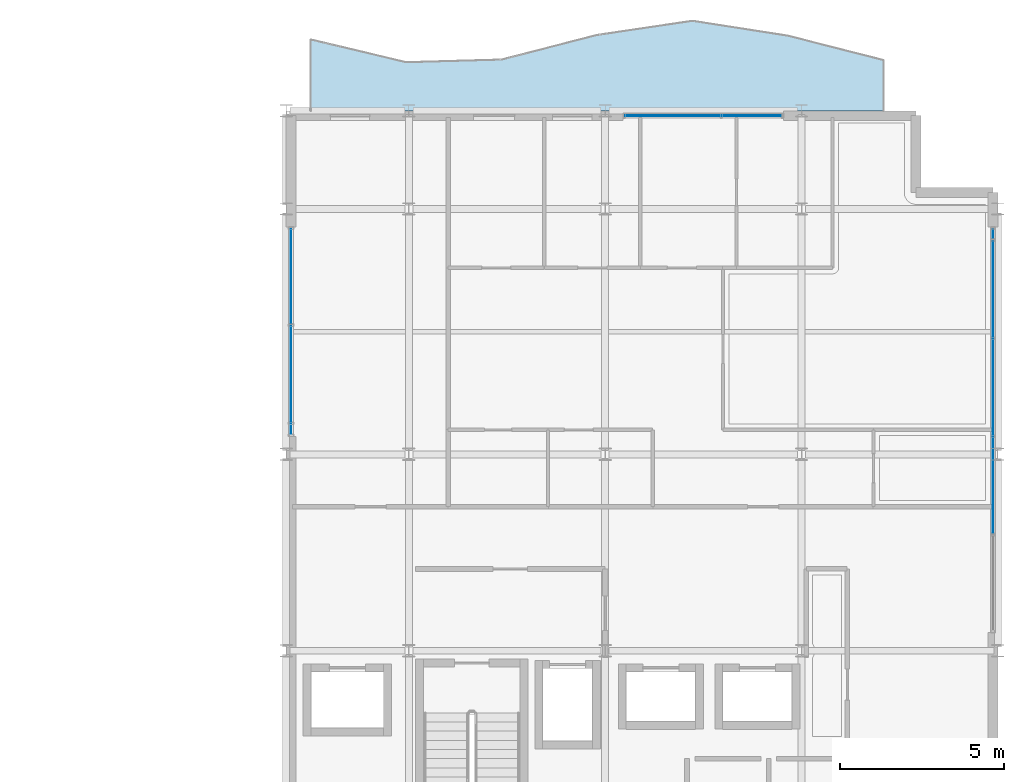
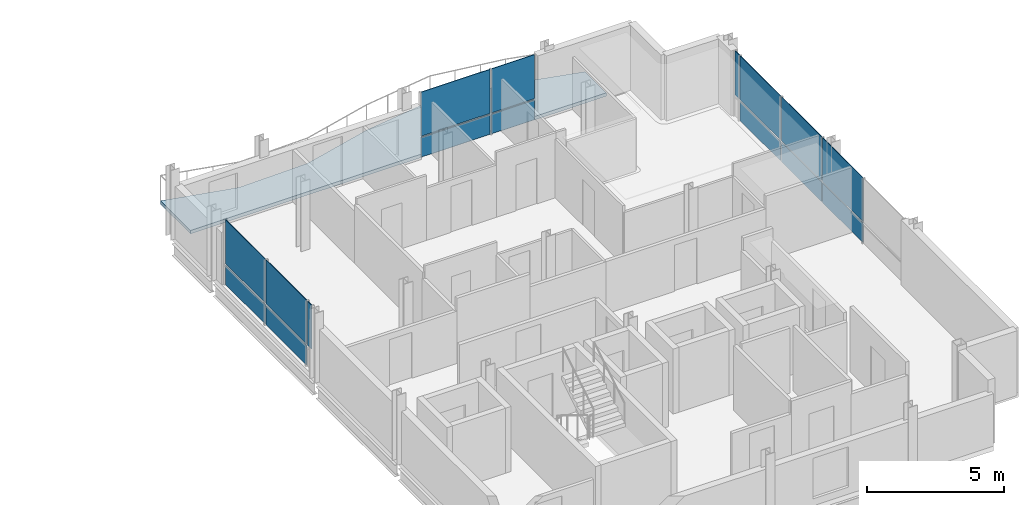
# One storey, part 20 of 29: 16 plates, 1 slab, 3 elements without a shape of their own.
"""IFC4 building model written with IfcOpenShell, lengths in metres."""

from ifc_helpers import new_model, si_unit, direction, frame, origin, origin_2d, place, context, subcontext, project, spatial, polyline, rectangle, outline, extrude, material, layer, layer_set, type_object, element, aggregate, save


model = new_model("IFC4")

# Units and contexts
model_context = context("Model", 3, precision=1e-05, world=origin(), true_north=direction((0.0, 1.0)))
body_context = subcontext(model_context, "Body", "Model", "MODEL_VIEW")
ifc_project = project(units=[si_unit("LENGTHUNIT", "METRE"), si_unit("AREAUNIT", "SQUARE_METRE"), si_unit("VOLUMEUNIT", "CUBIC_METRE"), si_unit("PLANEANGLEUNIT", "RADIAN"), si_unit("MASSUNIT", "GRAM", prefix="KILO")], contexts=[model_context])

# Site, building, storey
site_placement = place(None, origin())
site = spatial("IfcSite", under=ifc_project, at=site_placement, CompositionType="ELEMENT")
building_placement = place(site_placement, origin())
building = spatial("IfcBuilding", under=site, at=building_placement, Name="Brevholm Reach", CompositionType="ELEMENT")
storey_placement = place(building_placement, frame((0.0, 0.0, 208.0)))
storey = spatial("IfcBuildingStorey", under=building, at=storey_placement, Name="L63", CompositionType="ELEMENT", Elevation=208.0)

# Curtain wall, plates
ifc_material_1 = material(Name="Dark Anodised Aluminium 6063-T6 and Solar-Control Glass", Category="aluminium")
ifc_layer_1 = layer(ifc_material_1, 0.1650390625)
ifc_layer_set_1 = layer_set([ifc_layer_1], Name="Dark Anodised Aluminium 6063-T6 and Solar-Control Glass")
curtain_wall_type_1 = type_object("IfcCurtainWallType", Name="CW-04", PredefinedType="NOTDEFINED", material=ifc_layer_set_1)
curtain_wall_1_placement = place(storey_placement, origin())
curtain_wall_1 = element("IfcCurtainWall", 1, at=curtain_wall_1_placement, inside=storey, type_object=curtain_wall_type_1, Name="L63 Curtain Wall CW-04", PredefinedType="NOTDEFINED")
ifc_material_2 = material(Name="Dark Solar-Control Double-Glazed IGU Glass", Category="glass")
ifc_layer_2 = layer(ifc_material_2, 0.028076171875)
ifc_layer_set_2 = layer_set([ifc_layer_2], Name="Dark Solar-Control Double-Glazed IGU Glass")
plate_type = type_object("IfcPlateType", Name="CWP-GLZ-28", PredefinedType="CURTAIN_PANEL", material=ifc_layer_set_2)
plate_1_placement = place(storey_placement, frame((38.39990234375, 21.4326171875, 0.0), z_axis=(0.0, 0.0, 1.0), x_axis=(0.0, -1.0, 0.0)))
plate_1 = element("IfcPlate", 2, at=plate_1_placement, type_object=plate_type, Name="CP-01 Glazing Panel 1.1", PredefinedType="CURTAIN_PANEL", context=body_context, shape_type="SweptSolid", body=[
    extrude(rectangle(XDim=2.89501953125, YDim=0.028076171875, at=origin_2d()), origin(), (0.0, 0.0, 1.0), 0.864990234375),
])
plate_2_placement = place(storey_placement, frame((38.39990234375, 21.4326171875, 0.93505859375), z_axis=(0.0, 0.0, 1.0), x_axis=(0.0, -1.0, 0.0)))
plate_2 = element("IfcPlate", 3, at=plate_2_placement, type_object=plate_type, Name="CP-01 Glazing Panel 1.2", PredefinedType="CURTAIN_PANEL", context=body_context, shape_type="SweptSolid", body=[
    extrude(rectangle(XDim=2.89501953125, YDim=0.028076171875, at=origin_2d()), origin(), (0.0, 0.0, 1.0), 1.955078125),
])
plate_3_placement = place(storey_placement, frame((38.39990234375, 18.449951171875, 0.0), z_axis=(0.0, 0.0, 1.0), x_axis=(0.0, -1.0, 0.0)))
plate_3 = element("IfcPlate", 4, at=plate_3_placement, type_object=plate_type, Name="CP-01 Glazing Panel 2.1", PredefinedType="CURTAIN_PANEL", context=body_context, shape_type="SweptSolid", body=[
    extrude(rectangle(XDim=2.929931640625, YDim=0.028076171875, at=origin_2d()), origin(), (0.0, 0.0, 1.0), 0.864990234375),
])
plate_4_placement = place(storey_placement, frame((38.39990234375, 18.449951171875, 0.93505859375), z_axis=(0.0, 0.0, 1.0), x_axis=(0.0, -1.0, 0.0)))
plate_4 = element("IfcPlate", 5, at=plate_4_placement, type_object=plate_type, Name="CP-01 Glazing Panel 2.2", PredefinedType="CURTAIN_PANEL", context=body_context, shape_type="SweptSolid", body=[
    extrude(rectangle(XDim=2.929931640625, YDim=0.028076171875, at=origin_2d()), origin(), (0.0, 0.0, 1.0), 1.955078125),
])
plate_5_placement = place(storey_placement, frame((38.39990234375, 16.767578125, 0.93505859375), z_axis=(0.0, 0.0, 1.0), x_axis=(0.0, -1.0, 0.0)))
plate_5 = element("IfcPlate", 6, at=plate_5_placement, type_object=plate_type, Name="CP-01 Glazing Panel 3.2", PredefinedType="CURTAIN_PANEL", context=body_context, shape_type="SweptSolid", body=[
    extrude(rectangle(XDim=0.294921875, YDim=0.028076171875, at=origin_2d()), origin(), (0.0, 0.0, 1.0), 1.955078125),
])
aggregate(curtain_wall_1, [plate_1, plate_2, plate_3, plate_4, plate_5])

ifc_material_3 = material(Name="Dark Anodised Aluminium 6063-T6 and Solar-Control Glass", Category="aluminium")
ifc_layer_3 = layer(ifc_material_3, 0.14990234375)
ifc_layer_set_3 = layer_set([ifc_layer_3], Name="Dark Anodised Aluminium 6063-T6 and Solar-Control Glass")
curtain_wall_type_2 = type_object("IfcCurtainWallType", Name="CW-01", PredefinedType="NOTDEFINED", material=ifc_layer_set_3)
curtain_wall_2_placement = place(storey_placement, origin())
curtain_wall_2 = element("IfcCurtainWall", 7, at=curtain_wall_2_placement, inside=storey, type_object=curtain_wall_type_2, Name="L63 Curtain Wall CW-01", PredefinedType="NOTDEFINED")
plate_6_placement = place(storey_placement, frame((59.85009765625, 15.050048828125, 0.0), z_axis=(0.0, 0.0, 1.0), x_axis=(0.0, 1.0, 0.0)))
plate_6 = element("IfcPlate", 8, at=plate_6_placement, type_object=plate_type, Name="CP-01 Glazing Panel 2.1", PredefinedType="CURTAIN_PANEL", context=body_context, shape_type="SweptSolid", body=[
    extrude(rectangle(XDim=2.93505859375, YDim=0.028076171875, at=origin_2d()), origin(), (0.0, 0.0, 1.0), 0.867431640625),
])
plate_7_placement = place(storey_placement, frame((59.85009765625, 15.050048828125, 0.932373046875), z_axis=(0.0, 0.0, 1.0), x_axis=(0.0, 1.0, 0.0)))
plate_7 = element("IfcPlate", 9, at=plate_7_placement, type_object=plate_type, Name="CP-01 Glazing Panel 2.2", PredefinedType="CURTAIN_PANEL", context=body_context, shape_type="SweptSolid", body=[
    extrude(rectangle(XDim=2.93505859375, YDim=0.028076171875, at=origin_2d()), origin(), (0.0, 0.0, 1.0), 1.95751953125),
])
plate_8_placement = place(storey_placement, frame((59.85009765625, 18.050048828125, 0.0), z_axis=(0.0, 0.0, 1.0), x_axis=(0.0, 1.0, 0.0)))
plate_8 = element("IfcPlate", 10, at=plate_8_placement, type_object=plate_type, Name="CP-01 Glazing Panel 3.1", PredefinedType="CURTAIN_PANEL", context=body_context, shape_type="SweptSolid", body=[
    extrude(rectangle(XDim=2.93505859375, YDim=0.028076171875, at=origin_2d()), origin(), (0.0, 0.0, 1.0), 0.867431640625),
])
plate_9_placement = place(storey_placement, frame((59.85009765625, 18.050048828125, 0.932373046875), z_axis=(0.0, 0.0, 1.0), x_axis=(0.0, 1.0, 0.0)))
plate_9 = element("IfcPlate", 11, at=plate_9_placement, type_object=plate_type, Name="CP-01 Glazing Panel 3.2", PredefinedType="CURTAIN_PANEL", context=body_context, shape_type="SweptSolid", body=[
    extrude(rectangle(XDim=2.93505859375, YDim=0.028076171875, at=origin_2d()), origin(), (0.0, 0.0, 1.0), 1.95751953125),
])
plate_10_placement = place(storey_placement, frame((59.85009765625, 21.050048828125, 0.0), z_axis=(0.0, 0.0, 1.0), x_axis=(0.0, 1.0, 0.0)))
plate_10 = element("IfcPlate", 12, at=plate_10_placement, type_object=plate_type, Name="CP-01 Glazing Panel 4.1", PredefinedType="CURTAIN_PANEL", context=body_context, shape_type="SweptSolid", body=[
    extrude(rectangle(XDim=2.93505859375, YDim=0.028076171875, at=origin_2d()), origin(), (0.0, 0.0, 1.0), 0.867431640625),
])
plate_11_placement = place(storey_placement, frame((59.85009765625, 21.050048828125, 0.932373046875), z_axis=(0.0, 0.0, 1.0), x_axis=(0.0, 1.0, 0.0)))
plate_11 = element("IfcPlate", 13, at=plate_11_placement, type_object=plate_type, Name="CP-01 Glazing Panel 4.2", PredefinedType="CURTAIN_PANEL", context=body_context, shape_type="SweptSolid", body=[
    extrude(rectangle(XDim=2.93505859375, YDim=0.028076171875, at=origin_2d()), origin(), (0.0, 0.0, 1.0), 1.95751953125),
])
plate_12_placement = place(storey_placement, frame((59.85009765625, 22.733642578125, 0.932373046875), z_axis=(0.0, 0.0, 1.0), x_axis=(0.0, 1.0, 0.0)))
plate_12 = element("IfcPlate", 14, at=plate_12_placement, type_object=plate_type, Name="CP-01 Glazing Panel 5.2", PredefinedType="CURTAIN_PANEL", context=body_context, shape_type="SweptSolid", body=[
    extrude(rectangle(XDim=0.302490234375, YDim=0.028076171875, at=origin_2d()), origin(), (0.0, 0.0, 1.0), 1.95751953125),
])
aggregate(curtain_wall_2, [plate_6, plate_7, plate_8, plate_9, plate_10, plate_11, plate_12])

curtain_wall_3_placement = place(storey_placement, origin())
curtain_wall_3 = element("IfcCurtainWall", 15, at=curtain_wall_3_placement, inside=storey, type_object=curtain_wall_type_2, Name="L63 Curtain Wall CW-01", PredefinedType="NOTDEFINED")
plate_13_placement = place(storey_placement, frame((50.066162109375, 26.35009765625, 0.0), z_axis=(0.0, 0.0, 1.0), x_axis=(1.0, 0.0, 0.0)))
plate_13 = element("IfcPlate", 16, at=plate_13_placement, type_object=plate_type, Name="CP-01 Glazing Panel 1.1", PredefinedType="CURTAIN_PANEL", context=body_context, shape_type="SweptSolid", body=[
    extrude(rectangle(XDim=2.902587890625, YDim=0.028076171875, at=origin_2d()), origin(), (0.0, 0.0, 1.0), 0.867431640625),
])
plate_14_placement = place(storey_placement, frame((50.066162109375, 26.35009765625, 0.932373046875), z_axis=(0.0, 0.0, 1.0), x_axis=(1.0, 0.0, 0.0)))
plate_14 = element("IfcPlate", 17, at=plate_14_placement, type_object=plate_type, Name="CP-01 Glazing Panel 1.2", PredefinedType="CURTAIN_PANEL", context=body_context, shape_type="SweptSolid", body=[
    extrude(rectangle(XDim=2.902587890625, YDim=0.028076171875, at=origin_2d()), origin(), (0.0, 0.0, 1.0), 1.95751953125),
])
plate_15_placement = place(storey_placement, frame((52.483642578125, 26.35009765625, 0.0), z_axis=(0.0, 0.0, 1.0), x_axis=(1.0, 0.0, 0.0)))
plate_15 = element("IfcPlate", 18, at=plate_15_placement, type_object=plate_type, Name="CP-01 Glazing Panel 2.1", PredefinedType="CURTAIN_PANEL", context=body_context, shape_type="SweptSolid", body=[
    extrude(rectangle(XDim=1.802490234375, YDim=0.028076171875, at=origin_2d()), origin(), (0.0, 0.0, 1.0), 0.867431640625),
])
plate_16_placement = place(storey_placement, frame((52.483642578125, 26.35009765625, 0.932373046875), z_axis=(0.0, 0.0, 1.0), x_axis=(1.0, 0.0, 0.0)))
plate_16 = element("IfcPlate", 19, at=plate_16_placement, type_object=plate_type, Name="CP-01 Glazing Panel 2.2", PredefinedType="CURTAIN_PANEL", context=body_context, shape_type="SweptSolid", body=[
    extrude(rectangle(XDim=1.802490234375, YDim=0.028076171875, at=origin_2d()), origin(), (0.0, 0.0, 1.0), 1.95751953125),
])
aggregate(curtain_wall_3, [plate_13, plate_14, plate_15, plate_16])

# Slab
ifc_material_4 = material(Name="Precast Concrete C45/55", Category="concrete")
ifc_layer_4 = layer(ifc_material_4, 0.14990234375)
ifc_layer_set_4 = layer_set([ifc_layer_4], Name="Precast Concrete C45/55")
slab_type = type_object("IfcSlabType", Name="SLB-BAL-150", PredefinedType="FLOOR", material=ifc_layer_set_4)
slab_placement = place(storey_placement, frame((0.0, 0.0, -0.14990234375)))
element("IfcSlab", 20, at=slab_placement, inside=storey, type_object=slab_type, Name="L63 Rippling External Balcony NE", PredefinedType="FLOOR", context=body_context, shape_type="SweptSolid", body=[
    extrude(outline(polyline([(39.0, 26.5), (56.5, 26.5), (56.5, 28.05029296875), (53.583251953125, 28.794921875), (50.666748046875, 29.25), (47.75, 28.81689453125), (44.833251953125, 28.065673828125), (41.916748046875, 27.984619140625), (39.0, 28.6806640625), (39.0, 26.5)])), origin(), (0.0, 0.0, 1.0), 0.14990234375),
])

save(model, "model.ifc")
